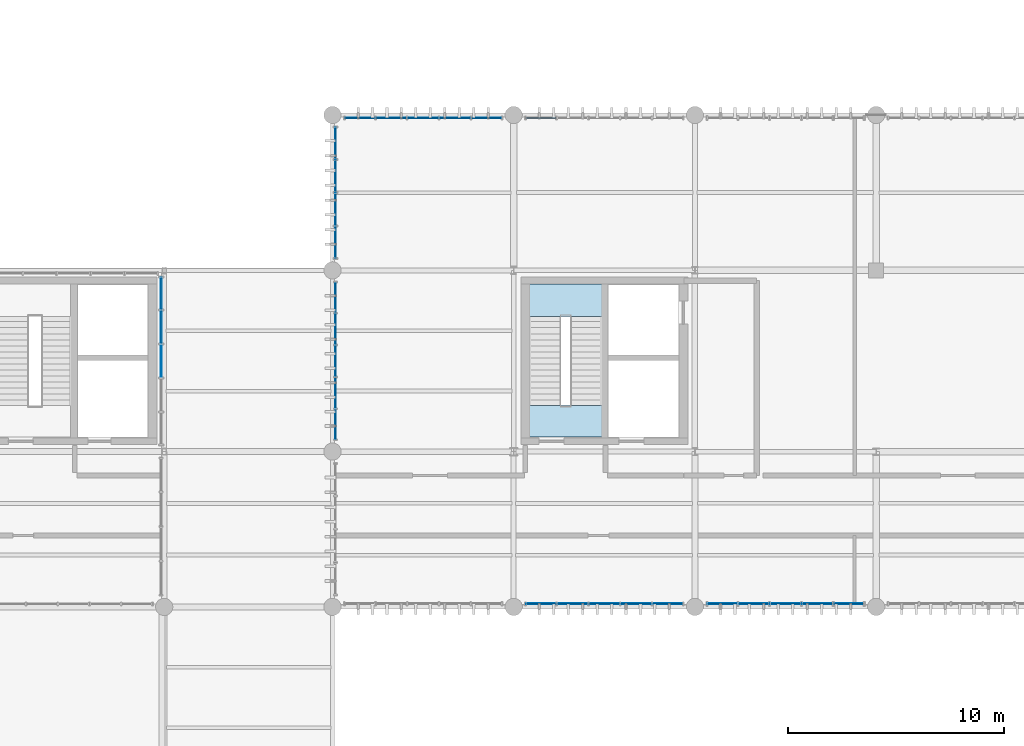
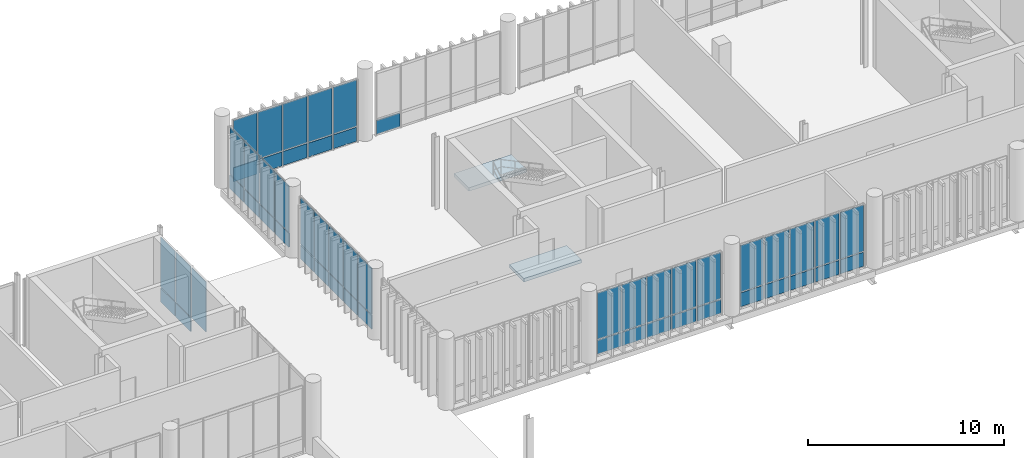
# One storey, part 52 of 68: 54 plates, 2 slabs, 8 elements without a shape of their own.
"""IFC4 building model written with IfcOpenShell, lengths in metres."""

from ifc_helpers import new_model, si_unit, direction, frame, frame_2d, origin_with_axes, place, context, subcontext, project, spatial, polyline, rectangle, outline, extrude, material, layer, layer_set, type_object, element, aggregate, save


model = new_model("IFC4")

# Units and contexts
model_context = context("Model", 3, precision=1e-05, world=origin_with_axes(), true_north=direction((0.0, 1.0)))
body_context = subcontext(model_context, "Body", "Model", "MODEL_VIEW")
ifc_project = project(units=[si_unit("LENGTHUNIT", "METRE"), si_unit("AREAUNIT", "SQUARE_METRE"), si_unit("VOLUMEUNIT", "CUBIC_METRE"), si_unit("PLANEANGLEUNIT", "RADIAN"), si_unit("MASSUNIT", "GRAM", prefix="KILO"), si_unit("THERMODYNAMICTEMPERATUREUNIT", "KELVIN")], contexts=[model_context])

# Site, building, storey
site_placement = place(None, origin_with_axes())
site = spatial("IfcSite", under=ifc_project, at=site_placement, CompositionType="ELEMENT")
building_placement = place(site_placement, origin_with_axes())
building = spatial("IfcBuilding", under=site, at=building_placement, Name="Montbau Bow Law Courts", CompositionType="ELEMENT")
storey_placement = place(building_placement, frame((0.0, 0.0, 20.4), z_axis=(0.0, 0.0, 1.0), x_axis=(1.0, 0.0, 0.0)))
storey = spatial("IfcBuildingStorey", under=building, at=storey_placement, Name="L04", CompositionType="ELEMENT", Elevation=20.4)

# Curtain wall, plates
ifc_material_1 = material(Name="Thermally Broken Extruded Aluminium AA 6063-T6", Category="aluminium")
curtain_wall_type_1 = type_object("IfcCurtainWallType", Name="CW-CRM-01", PredefinedType="NOTDEFINED", material=ifc_material_1)
curtain_wall_1_placement = place(None, frame((55.715, 39.14, 20.4), z_axis=(0.0, 0.0, 1.0), x_axis=(1.0, 0.0, 0.0)))
curtain_wall_1 = element("IfcCurtainWall", 1, at=curtain_wall_1_placement, inside=storey, type_object=curtain_wall_type_1, Name="CW-L04-194:cw_0194", PredefinedType="NOTDEFINED")
ifc_material_2 = material(Name="Triple-Glazed Low-E Argon Insulating Glass Unit", Category="glass")
ifc_layer_1 = layer(ifc_material_2, 0.044, Name="Curtain Panel", Category="glass")
ifc_layer_set_1 = layer_set([ifc_layer_1], Name="Triple-Glazed Low-E Argon Insulating Glass Unit")
plate_type_1 = type_object("IfcPlateType", Name="PL-CWP-01", PredefinedType="CURTAIN_PANEL", material=ifc_layer_set_1)
plate_1_placement = place(None, frame((55.777, 39.14, 21.382), z_axis=(0.0, -1.0, 0.0), x_axis=(1.0, 0.0, 0.0)))
plate_1 = element("IfcPlate", 2, at=plate_1_placement, type_object=plate_type_1, Name="CW-L04-194-P01-2:cw_0194_P01_2", PredefinedType="CURTAIN_PANEL", context=body_context, shape_type="SweptSolid", body=[
    extrude(rectangle(XDim=1.38, YDim=2.876, at=frame_2d((0.69, 1.438), x_axis=(1.0, 0.0))), frame((0.0, 0.0, -0.022), z_axis=(0.0, 0.0, 1.0), x_axis=(1.0, 0.0, 0.0)), (0.0, 0.0, 1.0), 0.044),
])
plate_2_placement = place(None, frame((57.221, 39.14, 21.382), z_axis=(0.0, -1.0, 0.0), x_axis=(1.0, 0.0, 0.0)))
plate_2 = element("IfcPlate", 3, at=plate_2_placement, type_object=plate_type_1, Name="CW-L04-194-P02-2:cw_0194_P02_2", PredefinedType="CURTAIN_PANEL", context=body_context, shape_type="SweptSolid", body=[
    extrude(rectangle(XDim=1.41, YDim=2.876, at=frame_2d((0.705, 1.438), x_axis=(1.0, 0.0))), frame((0.0, 0.0, -0.022), z_axis=(0.0, 0.0, 1.0), x_axis=(1.0, 0.0, 0.0)), (0.0, 0.0, 1.0), 0.044),
])
plate_3_placement = place(None, frame((58.695, 39.14, 21.382), z_axis=(0.0, -1.0, 0.0), x_axis=(1.0, 0.0, 0.0)))
plate_3 = element("IfcPlate", 4, at=plate_3_placement, type_object=plate_type_1, Name="CW-L04-194-P03-2:cw_0194_P03_2", PredefinedType="CURTAIN_PANEL", context=body_context, shape_type="SweptSolid", body=[
    extrude(rectangle(XDim=1.41, YDim=2.876, at=frame_2d((0.705, 1.438), x_axis=(1.0, 0.0))), frame((0.0, 0.0, -0.022), z_axis=(0.0, 0.0, 1.0), x_axis=(1.0, 0.0, 0.0)), (0.0, 0.0, 1.0), 0.044),
])
plate_4_placement = place(None, frame((60.169, 39.14, 21.382), z_axis=(0.0, -1.0, 0.0), x_axis=(1.0, 0.0, 0.0)))
plate_4 = element("IfcPlate", 5, at=plate_4_placement, type_object=plate_type_1, Name="CW-L04-194-P04-2:cw_0194_P04_2", PredefinedType="CURTAIN_PANEL", context=body_context, shape_type="SweptSolid", body=[
    extrude(rectangle(XDim=1.41, YDim=2.876, at=frame_2d((0.705, 1.438), x_axis=(1.0, 0.0))), frame((0.0, 0.0, -0.022), z_axis=(0.0, 0.0, 1.0), x_axis=(1.0, 0.0, 0.0)), (0.0, 0.0, 1.0), 0.044),
])
plate_5_placement = place(None, frame((61.643, 39.14, 21.382), z_axis=(0.0, -1.0, 0.0), x_axis=(1.0, 0.0, 0.0)))
plate_5 = element("IfcPlate", 6, at=plate_5_placement, type_object=plate_type_1, Name="CW-L04-194-P05-2:cw_0194_P05_2", PredefinedType="CURTAIN_PANEL", context=body_context, shape_type="SweptSolid", body=[
    extrude(rectangle(XDim=1.38, YDim=2.876, at=frame_2d((0.69, 1.438), x_axis=(1.0, 0.0))), frame((0.0, 0.0, -0.022), z_axis=(0.0, 0.0, 1.0), x_axis=(1.0, 0.0, 0.0)), (0.0, 0.0, 1.0), 0.044),
])

curtain_wall_2_placement = place(None, frame((64.115, 39.14, 20.4), z_axis=(0.0, 0.0, 1.0), x_axis=(1.0, 0.0, 0.0)))
curtain_wall_2 = element("IfcCurtainWall", 7, at=curtain_wall_2_placement, inside=storey, type_object=curtain_wall_type_1, Name="CW-L04-195:cw_0195", PredefinedType="NOTDEFINED")
plate_6_placement = place(None, frame((64.191, 39.14, 21.38), z_axis=(0.0, -1.0, 0.0), x_axis=(1.0, 0.0, 0.0)))
plate_6 = element("IfcPlate", 8, at=plate_6_placement, type_object=plate_type_1, Name="CW-L04-195-P01-2:cw_0195_P01_2", PredefinedType="CURTAIN_PANEL", context=body_context, shape_type="SweptSolid", body=[
    extrude(rectangle(XDim=1.358, YDim=2.884, at=frame_2d((0.679, 1.442), x_axis=(1.0, 0.0))), frame((0.0, 0.0, -0.022), z_axis=(0.0, 0.0, 1.0), x_axis=(1.0, 0.0, 0.0)), (0.0, 0.0, 1.0), 0.044),
])
plate_7_placement = place(None, frame((65.629, 39.14, 21.38), z_axis=(0.0, -1.0, 0.0), x_axis=(1.0, 0.0, 0.0)))
plate_7 = element("IfcPlate", 9, at=plate_7_placement, type_object=plate_type_1, Name="CW-L04-195-P02-2:cw_0195_P02_2", PredefinedType="CURTAIN_PANEL", context=body_context, shape_type="SweptSolid", body=[
    extrude(rectangle(XDim=1.395, YDim=2.884, at=frame_2d((0.6975, 1.442), x_axis=(1.0, 0.0))), frame((0.0, 0.0, -0.022), z_axis=(0.0, 0.0, 1.0), x_axis=(1.0, 0.0, 0.0)), (0.0, 0.0, 1.0), 0.044),
])
plate_8_placement = place(None, frame((67.102, 39.14, 21.38), z_axis=(0.0, -1.0, 0.0), x_axis=(1.0, 0.0, 0.0)))
plate_8 = element("IfcPlate", 10, at=plate_8_placement, type_object=plate_type_1, Name="CW-L04-195-P03-2:cw_0195_P03_2", PredefinedType="CURTAIN_PANEL", context=body_context, shape_type="SweptSolid", body=[
    extrude(rectangle(XDim=1.396, YDim=2.884, at=frame_2d((0.698, 1.442), x_axis=(1.0, 0.0))), frame((0.0, 0.0, -0.022), z_axis=(0.0, 0.0, 1.0), x_axis=(1.0, 0.0, 0.0)), (0.0, 0.0, 1.0), 0.044),
])
plate_9_placement = place(None, frame((68.576, 39.14, 21.38), z_axis=(0.0, -1.0, 0.0), x_axis=(1.0, 0.0, 0.0)))
plate_9 = element("IfcPlate", 11, at=plate_9_placement, type_object=plate_type_1, Name="CW-L04-195-P04-2:cw_0195_P04_2", PredefinedType="CURTAIN_PANEL", context=body_context, shape_type="SweptSolid", body=[
    extrude(rectangle(XDim=1.396, YDim=2.884, at=frame_2d((0.698, 1.442), x_axis=(1.0, 0.0))), frame((0.0, 0.0, -0.022), z_axis=(0.0, 0.0, 1.0), x_axis=(1.0, 0.0, 0.0)), (0.0, 0.0, 1.0), 0.044),
])
plate_10_placement = place(None, frame((70.05, 39.14, 21.38), z_axis=(0.0, -1.0, 0.0), x_axis=(1.0, 0.0, 0.0)))
plate_10 = element("IfcPlate", 12, at=plate_10_placement, type_object=plate_type_1, Name="CW-L04-195-P05-2:cw_0195_P05_2", PredefinedType="CURTAIN_PANEL", context=body_context, shape_type="SweptSolid", body=[
    extrude(rectangle(XDim=1.359, YDim=2.884, at=frame_2d((0.6795, 1.442), x_axis=(1.0, 0.0))), frame((0.0, 0.0, -0.022), z_axis=(0.0, 0.0, 1.0), x_axis=(1.0, 0.0, 0.0)), (0.0, 0.0, 1.0), 0.044),
])

curtain_wall_3_placement = place(None, frame((47.315, 61.66, 20.4), z_axis=(0.0, 0.0, 1.0), x_axis=(1.0, 0.0, 0.0)))
curtain_wall_3 = element("IfcCurtainWall", 13, at=curtain_wall_3_placement, inside=storey, type_object=curtain_wall_type_1, Name="CW-L04-199:cw_0199", PredefinedType="NOTDEFINED")
plate_11_placement = place(None, frame((47.383, 61.66, 21.38), z_axis=(0.0, -1.0, 0.0), x_axis=(1.0, 0.0, 0.0)))
plate_11 = element("IfcPlate", 14, at=plate_11_placement, type_object=plate_type_1, Name="CW-L04-199-P01-2:cw_0199_P01_2", PredefinedType="CURTAIN_PANEL", context=body_context, shape_type="SweptSolid", body=[
    extrude(rectangle(XDim=1.372, YDim=2.884, at=frame_2d((0.686, 1.442), x_axis=(1.0, 0.0))), frame((0.0, 0.0, -0.022), z_axis=(0.0, 0.0, 1.0), x_axis=(1.0, 0.0, 0.0)), (0.0, 0.0, 1.0), 0.044),
])
plate_12_placement = place(None, frame((48.823, 61.66, 21.38), z_axis=(0.0, -1.0, 0.0), x_axis=(1.0, 0.0, 0.0)))
plate_12 = element("IfcPlate", 15, at=plate_12_placement, type_object=plate_type_1, Name="CW-L04-199-P02-2:cw_0199_P02_2", PredefinedType="CURTAIN_PANEL", context=body_context, shape_type="SweptSolid", body=[
    extrude(rectangle(XDim=1.405, YDim=2.884, at=frame_2d((0.7025, 1.442), x_axis=(1.0, 0.0))), frame((0.0, 0.0, -0.022), z_axis=(0.0, 0.0, 1.0), x_axis=(1.0, 0.0, 0.0)), (0.0, 0.0, 1.0), 0.044),
])
plate_13_placement = place(None, frame((50.297, 61.66, 21.38), z_axis=(0.0, -1.0, 0.0), x_axis=(1.0, 0.0, 0.0)))
plate_13 = element("IfcPlate", 16, at=plate_13_placement, type_object=plate_type_1, Name="CW-L04-199-P03-2:cw_0199_P03_2", PredefinedType="CURTAIN_PANEL", context=body_context, shape_type="SweptSolid", body=[
    extrude(rectangle(XDim=1.406, YDim=2.884, at=frame_2d((0.703, 1.442), x_axis=(1.0, 0.0))), frame((0.0, 0.0, -0.022), z_axis=(0.0, 0.0, 1.0), x_axis=(1.0, 0.0, 0.0)), (0.0, 0.0, 1.0), 0.044),
])
plate_14_placement = place(None, frame((51.771, 61.66, 21.38), z_axis=(0.0, -1.0, 0.0), x_axis=(1.0, 0.0, 0.0)))
plate_14 = element("IfcPlate", 17, at=plate_14_placement, type_object=plate_type_1, Name="CW-L04-199-P04-2:cw_0199_P04_2", PredefinedType="CURTAIN_PANEL", context=body_context, shape_type="SweptSolid", body=[
    extrude(rectangle(XDim=1.406, YDim=2.884, at=frame_2d((0.703, 1.442), x_axis=(1.0, 0.0))), frame((0.0, 0.0, -0.022), z_axis=(0.0, 0.0, 1.0), x_axis=(1.0, 0.0, 0.0)), (0.0, 0.0, 1.0), 0.044),
])
plate_15_placement = place(None, frame((53.245, 61.66, 21.38), z_axis=(0.0, -1.0, 0.0), x_axis=(1.0, 0.0, 0.0)))
plate_15 = element("IfcPlate", 18, at=plate_15_placement, type_object=plate_type_1, Name="CW-L04-199-P05-2:cw_0199_P05_2", PredefinedType="CURTAIN_PANEL", context=body_context, shape_type="SweptSolid", body=[
    extrude(rectangle(XDim=1.374, YDim=2.884, at=frame_2d((0.687, 1.442), x_axis=(1.0, 0.0))), frame((0.0, 0.0, -0.022), z_axis=(0.0, 0.0, 1.0), x_axis=(1.0, 0.0, 0.0)), (0.0, 0.0, 1.0), 0.044),
])

curtain_wall_4_placement = place(None, frame((46.94, 46.715, 20.4), z_axis=(0.0, 0.0, 1.0), x_axis=(1.0, 0.0, 0.0)))
curtain_wall_4 = element("IfcCurtainWall", 19, at=curtain_wall_4_placement, inside=storey, type_object=curtain_wall_type_1, Name="CW-L04-206:cw_0206", PredefinedType="NOTDEFINED")
plate_16_placement = place(None, frame((46.94, 46.777, 21.382), z_axis=(1.0, 0.0, 0.0), x_axis=(0.0, 1.0, 0.0)))
plate_16 = element("IfcPlate", 20, at=plate_16_placement, type_object=plate_type_1, Name="CW-L04-206-P01-2:cw_0206_P01_2", PredefinedType="CURTAIN_PANEL", context=body_context, shape_type="SweptSolid", body=[
    extrude(rectangle(XDim=1.38, YDim=2.876, at=frame_2d((0.69, 1.438), x_axis=(1.0, 0.0))), frame((0.0, 0.0, -0.022), z_axis=(0.0, 0.0, 1.0), x_axis=(1.0, 0.0, 0.0)), (0.0, 0.0, 1.0), 0.044),
])
plate_17_placement = place(None, frame((46.94, 48.221, 21.382), z_axis=(1.0, 0.0, 0.0), x_axis=(0.0, 1.0, 0.0)))
plate_17 = element("IfcPlate", 21, at=plate_17_placement, type_object=plate_type_1, Name="CW-L04-206-P02-2:cw_0206_P02_2", PredefinedType="CURTAIN_PANEL", context=body_context, shape_type="SweptSolid", body=[
    extrude(rectangle(XDim=1.41, YDim=2.876, at=frame_2d((0.705, 1.438), x_axis=(1.0, 0.0))), frame((0.0, 0.0, -0.022), z_axis=(0.0, 0.0, 1.0), x_axis=(1.0, 0.0, 0.0)), (0.0, 0.0, 1.0), 0.044),
])
plate_18_placement = place(None, frame((46.94, 49.695, 21.382), z_axis=(1.0, 0.0, 0.0), x_axis=(0.0, 1.0, 0.0)))
plate_18 = element("IfcPlate", 22, at=plate_18_placement, type_object=plate_type_1, Name="CW-L04-206-P03-2:cw_0206_P03_2", PredefinedType="CURTAIN_PANEL", context=body_context, shape_type="SweptSolid", body=[
    extrude(rectangle(XDim=1.41, YDim=2.876, at=frame_2d((0.705, 1.438), x_axis=(1.0, 0.0))), frame((0.0, 0.0, -0.022), z_axis=(0.0, 0.0, 1.0), x_axis=(1.0, 0.0, 0.0)), (0.0, 0.0, 1.0), 0.044),
])
plate_19_placement = place(None, frame((46.94, 51.169, 21.382), z_axis=(1.0, 0.0, 0.0), x_axis=(0.0, 1.0, 0.0)))
plate_19 = element("IfcPlate", 23, at=plate_19_placement, type_object=plate_type_1, Name="CW-L04-206-P04-2:cw_0206_P04_2", PredefinedType="CURTAIN_PANEL", context=body_context, shape_type="SweptSolid", body=[
    extrude(rectangle(XDim=1.41, YDim=2.876, at=frame_2d((0.705, 1.438), x_axis=(1.0, 0.0))), frame((0.0, 0.0, -0.022), z_axis=(0.0, 0.0, 1.0), x_axis=(1.0, 0.0, 0.0)), (0.0, 0.0, 1.0), 0.044),
])
plate_20_placement = place(None, frame((46.94, 52.643, 21.382), z_axis=(1.0, 0.0, 0.0), x_axis=(0.0, 1.0, 0.0)))
plate_20 = element("IfcPlate", 24, at=plate_20_placement, type_object=plate_type_1, Name="CW-L04-206-P05-2:cw_0206_P05_2", PredefinedType="CURTAIN_PANEL", context=body_context, shape_type="SweptSolid", body=[
    extrude(rectangle(XDim=1.38, YDim=2.876, at=frame_2d((0.69, 1.438), x_axis=(1.0, 0.0))), frame((0.0, 0.0, -0.022), z_axis=(0.0, 0.0, 1.0), x_axis=(1.0, 0.0, 0.0)), (0.0, 0.0, 1.0), 0.044),
])

curtain_wall_5_placement = place(None, frame((46.94, 55.115, 20.4), z_axis=(0.0, 0.0, 1.0), x_axis=(1.0, 0.0, 0.0)))
curtain_wall_5 = element("IfcCurtainWall", 25, at=curtain_wall_5_placement, inside=storey, type_object=curtain_wall_type_1, Name="CW-L04-207:cw_0207", PredefinedType="NOTDEFINED")
plate_21_placement = place(None, frame((46.94, 55.191, 21.38), z_axis=(1.0, 0.0, 0.0), x_axis=(0.0, 1.0, 0.0)))
plate_21 = element("IfcPlate", 26, at=plate_21_placement, type_object=plate_type_1, Name="CW-L04-207-P01-2:cw_0207_P01_2", PredefinedType="CURTAIN_PANEL", context=body_context, shape_type="SweptSolid", body=[
    extrude(rectangle(XDim=1.426, YDim=2.884, at=frame_2d((0.713, 1.442), x_axis=(1.0, 0.0))), frame((0.0, 0.0, -0.022), z_axis=(0.0, 0.0, 1.0), x_axis=(1.0, 0.0, 0.0)), (0.0, 0.0, 1.0), 0.044),
])
plate_22_placement = place(None, frame((46.94, 56.697, 21.38), z_axis=(1.0, 0.0, 0.0), x_axis=(0.0, 1.0, 0.0)))
plate_22 = element("IfcPlate", 27, at=plate_22_placement, type_object=plate_type_1, Name="CW-L04-207-P02-2:cw_0207_P02_2", PredefinedType="CURTAIN_PANEL", context=body_context, shape_type="SweptSolid", body=[
    extrude(rectangle(XDim=1.464, YDim=2.884, at=frame_2d((0.732, 1.442), x_axis=(1.0, 0.0))), frame((0.0, 0.0, -0.022), z_axis=(0.0, 0.0, 1.0), x_axis=(1.0, 0.0, 0.0)), (0.0, 0.0, 1.0), 0.044),
])
plate_23_placement = place(None, frame((46.94, 58.239, 21.38), z_axis=(1.0, 0.0, 0.0), x_axis=(0.0, 1.0, 0.0)))
plate_23 = element("IfcPlate", 28, at=plate_23_placement, type_object=plate_type_1, Name="CW-L04-207-P03-2:cw_0207_P03_2", PredefinedType="CURTAIN_PANEL", context=body_context, shape_type="SweptSolid", body=[
    extrude(rectangle(XDim=1.464, YDim=2.884, at=frame_2d((0.732, 1.442), x_axis=(1.0, 0.0))), frame((0.0, 0.0, -0.022), z_axis=(0.0, 0.0, 1.0), x_axis=(1.0, 0.0, 0.0)), (0.0, 0.0, 1.0), 0.044),
])
plate_24_placement = place(None, frame((46.94, 59.781, 21.38), z_axis=(1.0, 0.0, 0.0), x_axis=(0.0, 1.0, 0.0)))
plate_24 = element("IfcPlate", 29, at=plate_24_placement, type_object=plate_type_1, Name="CW-L04-207-P04-2:cw_0207_P04_2", PredefinedType="CURTAIN_PANEL", context=body_context, shape_type="SweptSolid", body=[
    extrude(rectangle(XDim=1.427, YDim=2.884, at=frame_2d((0.7135, 1.442), x_axis=(1.0, 0.0))), frame((0.0, 0.0, -0.022), z_axis=(0.0, 0.0, 1.0), x_axis=(1.0, 0.0, 0.0)), (0.0, 0.0, 1.0), 0.044),
])

curtain_wall_type_2 = type_object("IfcCurtainWallType", Name="CW-NCK-01", PredefinedType="NOTDEFINED", material=ifc_material_1)
curtain_wall_6_placement = place(None, frame((38.86, 46.468, 20.4), z_axis=(0.0, 0.0, 1.0), x_axis=(1.0, 0.0, 0.0)))
curtain_wall_6 = element("IfcCurtainWall", 30, at=curtain_wall_6_placement, inside=storey, type_object=curtain_wall_type_2, Name="CW-L04-075:cw_0075", PredefinedType="NOTDEFINED")
ifc_material_3 = material(Name="Insulated Ceramic-Frit Spandrel Glazing Unit", Category="glass")
ifc_layer_2 = layer(ifc_material_3, 0.056, Name="Curtain Panel", Category="glass")
ifc_layer_set_2 = layer_set([ifc_layer_2], Name="Insulated Ceramic-Frit Spandrel Glazing Unit")
plate_type_2 = type_object("IfcPlateType", Name="PL-CWP-02", PredefinedType="CURTAIN_PANEL", material=ifc_layer_set_2)
plate_25_placement = place(None, frame((38.86, 51.225, 20.456), z_axis=(1.0, 0.0, 0.0), x_axis=(0.0, 1.0, 0.0)))
plate_25 = element("IfcPlate", 31, at=plate_25_placement, type_object=plate_type_2, Name="CW-L04-075-P04-1:cw_0075_P04_1", PredefinedType="CURTAIN_PANEL", context=body_context, shape_type="SweptSolid", body=[
    extrude(rectangle(XDim=1.495, YDim=0.865, at=frame_2d((0.7475, 0.4325), x_axis=(1.0, 0.0))), frame((0.0, 0.0, -0.028), z_axis=(0.0, 0.0, 1.0), x_axis=(1.0, 0.0, 0.0)), (0.0, 0.0, 1.0), 0.056),
])
plate_26_placement = place(None, frame((38.86, 52.798, 20.456), z_axis=(1.0, 0.0, 0.0), x_axis=(0.0, 1.0, 0.0)))
plate_26 = element("IfcPlate", 32, at=plate_26_placement, type_object=plate_type_2, Name="CW-L04-075-P05-1:cw_0075_P05_1", PredefinedType="CURTAIN_PANEL", context=body_context, shape_type="SweptSolid", body=[
    extrude(rectangle(XDim=1.457, YDim=0.865, at=frame_2d((0.7285, 0.4325), x_axis=(1.0, 0.0))), frame((0.0, 0.0, -0.028), z_axis=(0.0, 0.0, 1.0), x_axis=(1.0, 0.0, 0.0)), (0.0, 0.0, 1.0), 0.056),
])

# Plate
plate_27_placement = place(None, frame((55.777, 39.14, 20.462), z_axis=(0.0, -1.0, 0.0), x_axis=(1.0, 0.0, 0.0)))
plate_27 = element("IfcPlate", 33, at=plate_27_placement, type_object=plate_type_2, Name="CW-L04-194-P01-1:cw_0194_P01_1", PredefinedType="CURTAIN_PANEL", context=body_context, shape_type="SweptSolid", body=[
    extrude(rectangle(XDim=1.38, YDim=0.856, at=frame_2d((0.69, 0.428), x_axis=(1.0, 0.0))), frame((0.0, 0.0, -0.028), z_axis=(0.0, 0.0, 1.0), x_axis=(1.0, 0.0, 0.0)), (0.0, 0.0, 1.0), 0.056),
])

plate_28_placement = place(None, frame((57.221, 39.14, 20.462), z_axis=(0.0, -1.0, 0.0), x_axis=(1.0, 0.0, 0.0)))
plate_28 = element("IfcPlate", 34, at=plate_28_placement, type_object=plate_type_2, Name="CW-L04-194-P02-1:cw_0194_P02_1", PredefinedType="CURTAIN_PANEL", context=body_context, shape_type="SweptSolid", body=[
    extrude(rectangle(XDim=1.41, YDim=0.856, at=frame_2d((0.705, 0.428), x_axis=(1.0, 0.0))), frame((0.0, 0.0, -0.028), z_axis=(0.0, 0.0, 1.0), x_axis=(1.0, 0.0, 0.0)), (0.0, 0.0, 1.0), 0.056),
])

plate_29_placement = place(None, frame((58.695, 39.14, 20.462), z_axis=(0.0, -1.0, 0.0), x_axis=(1.0, 0.0, 0.0)))
plate_29 = element("IfcPlate", 35, at=plate_29_placement, type_object=plate_type_2, Name="CW-L04-194-P03-1:cw_0194_P03_1", PredefinedType="CURTAIN_PANEL", context=body_context, shape_type="SweptSolid", body=[
    extrude(rectangle(XDim=1.41, YDim=0.856, at=frame_2d((0.705, 0.428), x_axis=(1.0, 0.0))), frame((0.0, 0.0, -0.028), z_axis=(0.0, 0.0, 1.0), x_axis=(1.0, 0.0, 0.0)), (0.0, 0.0, 1.0), 0.056),
])

plate_30_placement = place(None, frame((60.169, 39.14, 20.462), z_axis=(0.0, -1.0, 0.0), x_axis=(1.0, 0.0, 0.0)))
plate_30 = element("IfcPlate", 36, at=plate_30_placement, type_object=plate_type_2, Name="CW-L04-194-P04-1:cw_0194_P04_1", PredefinedType="CURTAIN_PANEL", context=body_context, shape_type="SweptSolid", body=[
    extrude(rectangle(XDim=1.41, YDim=0.856, at=frame_2d((0.705, 0.428), x_axis=(1.0, 0.0))), frame((0.0, 0.0, -0.028), z_axis=(0.0, 0.0, 1.0), x_axis=(1.0, 0.0, 0.0)), (0.0, 0.0, 1.0), 0.056),
])

plate_31_placement = place(None, frame((61.643, 39.14, 20.462), z_axis=(0.0, -1.0, 0.0), x_axis=(1.0, 0.0, 0.0)))
plate_31 = element("IfcPlate", 37, at=plate_31_placement, type_object=plate_type_2, Name="CW-L04-194-P05-1:cw_0194_P05_1", PredefinedType="CURTAIN_PANEL", context=body_context, shape_type="SweptSolid", body=[
    extrude(rectangle(XDim=1.38, YDim=0.856, at=frame_2d((0.69, 0.428), x_axis=(1.0, 0.0))), frame((0.0, 0.0, -0.028), z_axis=(0.0, 0.0, 1.0), x_axis=(1.0, 0.0, 0.0)), (0.0, 0.0, 1.0), 0.056),
])

aggregate(curtain_wall_1, [plate_27, plate_1, plate_28, plate_2, plate_29, plate_3, plate_30, plate_4, plate_31, plate_5])

plate_32_placement = place(None, frame((64.191, 39.14, 20.456), z_axis=(0.0, -1.0, 0.0), x_axis=(1.0, 0.0, 0.0)))
plate_32 = element("IfcPlate", 38, at=plate_32_placement, type_object=plate_type_2, Name="CW-L04-195-P01-1:cw_0195_P01_1", PredefinedType="CURTAIN_PANEL", context=body_context, shape_type="SweptSolid", body=[
    extrude(rectangle(XDim=1.358, YDim=0.865, at=frame_2d((0.679, 0.4325), x_axis=(1.0, 0.0))), frame((0.0, 0.0, -0.028), z_axis=(0.0, 0.0, 1.0), x_axis=(1.0, 0.0, 0.0)), (0.0, 0.0, 1.0), 0.056),
])

plate_33_placement = place(None, frame((65.629, 39.14, 20.456), z_axis=(0.0, -1.0, 0.0), x_axis=(1.0, 0.0, 0.0)))
plate_33 = element("IfcPlate", 39, at=plate_33_placement, type_object=plate_type_2, Name="CW-L04-195-P02-1:cw_0195_P02_1", PredefinedType="CURTAIN_PANEL", context=body_context, shape_type="SweptSolid", body=[
    extrude(rectangle(XDim=1.395, YDim=0.865, at=frame_2d((0.6975, 0.4325), x_axis=(1.0, 0.0))), frame((0.0, 0.0, -0.028), z_axis=(0.0, 0.0, 1.0), x_axis=(1.0, 0.0, 0.0)), (0.0, 0.0, 1.0), 0.056),
])

plate_34_placement = place(None, frame((67.102, 39.14, 20.456), z_axis=(0.0, -1.0, 0.0), x_axis=(1.0, 0.0, 0.0)))
plate_34 = element("IfcPlate", 40, at=plate_34_placement, type_object=plate_type_2, Name="CW-L04-195-P03-1:cw_0195_P03_1", PredefinedType="CURTAIN_PANEL", context=body_context, shape_type="SweptSolid", body=[
    extrude(rectangle(XDim=1.396, YDim=0.865, at=frame_2d((0.698, 0.4325), x_axis=(1.0, 0.0))), frame((0.0, 0.0, -0.028), z_axis=(0.0, 0.0, 1.0), x_axis=(1.0, 0.0, 0.0)), (0.0, 0.0, 1.0), 0.056),
])

plate_35_placement = place(None, frame((68.576, 39.14, 20.456), z_axis=(0.0, -1.0, 0.0), x_axis=(1.0, 0.0, 0.0)))
plate_35 = element("IfcPlate", 41, at=plate_35_placement, type_object=plate_type_2, Name="CW-L04-195-P04-1:cw_0195_P04_1", PredefinedType="CURTAIN_PANEL", context=body_context, shape_type="SweptSolid", body=[
    extrude(rectangle(XDim=1.396, YDim=0.865, at=frame_2d((0.698, 0.4325), x_axis=(1.0, 0.0))), frame((0.0, 0.0, -0.028), z_axis=(0.0, 0.0, 1.0), x_axis=(1.0, 0.0, 0.0)), (0.0, 0.0, 1.0), 0.056),
])

plate_36_placement = place(None, frame((70.05, 39.14, 20.456), z_axis=(0.0, -1.0, 0.0), x_axis=(1.0, 0.0, 0.0)))
plate_36 = element("IfcPlate", 42, at=plate_36_placement, type_object=plate_type_2, Name="CW-L04-195-P05-1:cw_0195_P05_1", PredefinedType="CURTAIN_PANEL", context=body_context, shape_type="SweptSolid", body=[
    extrude(rectangle(XDim=1.359, YDim=0.865, at=frame_2d((0.6795, 0.4325), x_axis=(1.0, 0.0))), frame((0.0, 0.0, -0.028), z_axis=(0.0, 0.0, 1.0), x_axis=(1.0, 0.0, 0.0)), (0.0, 0.0, 1.0), 0.056),
])

aggregate(curtain_wall_2, [plate_32, plate_6, plate_33, plate_7, plate_34, plate_8, plate_35, plate_9, plate_36, plate_10])

plate_37_placement = place(None, frame((47.383, 61.66, 20.456), z_axis=(0.0, -1.0, 0.0), x_axis=(1.0, 0.0, 0.0)))
plate_37 = element("IfcPlate", 43, at=plate_37_placement, type_object=plate_type_2, Name="CW-L04-199-P01-1:cw_0199_P01_1", PredefinedType="CURTAIN_PANEL", context=body_context, shape_type="SweptSolid", body=[
    extrude(rectangle(XDim=1.372, YDim=0.865, at=frame_2d((0.686, 0.4325), x_axis=(1.0, 0.0))), frame((0.0, 0.0, -0.028), z_axis=(0.0, 0.0, 1.0), x_axis=(1.0, 0.0, 0.0)), (0.0, 0.0, 1.0), 0.056),
])

plate_38_placement = place(None, frame((48.823, 61.66, 20.456), z_axis=(0.0, -1.0, 0.0), x_axis=(1.0, 0.0, 0.0)))
plate_38 = element("IfcPlate", 44, at=plate_38_placement, type_object=plate_type_2, Name="CW-L04-199-P02-1:cw_0199_P02_1", PredefinedType="CURTAIN_PANEL", context=body_context, shape_type="SweptSolid", body=[
    extrude(rectangle(XDim=1.405, YDim=0.865, at=frame_2d((0.7025, 0.4325), x_axis=(1.0, 0.0))), frame((0.0, 0.0, -0.028), z_axis=(0.0, 0.0, 1.0), x_axis=(1.0, 0.0, 0.0)), (0.0, 0.0, 1.0), 0.056),
])

plate_39_placement = place(None, frame((50.297, 61.66, 20.456), z_axis=(0.0, -1.0, 0.0), x_axis=(1.0, 0.0, 0.0)))
plate_39 = element("IfcPlate", 45, at=plate_39_placement, type_object=plate_type_2, Name="CW-L04-199-P03-1:cw_0199_P03_1", PredefinedType="CURTAIN_PANEL", context=body_context, shape_type="SweptSolid", body=[
    extrude(rectangle(XDim=1.406, YDim=0.865, at=frame_2d((0.703, 0.4325), x_axis=(1.0, 0.0))), frame((0.0, 0.0, -0.028), z_axis=(0.0, 0.0, 1.0), x_axis=(1.0, 0.0, 0.0)), (0.0, 0.0, 1.0), 0.056),
])

plate_40_placement = place(None, frame((51.771, 61.66, 20.456), z_axis=(0.0, -1.0, 0.0), x_axis=(1.0, 0.0, 0.0)))
plate_40 = element("IfcPlate", 46, at=plate_40_placement, type_object=plate_type_2, Name="CW-L04-199-P04-1:cw_0199_P04_1", PredefinedType="CURTAIN_PANEL", context=body_context, shape_type="SweptSolid", body=[
    extrude(rectangle(XDim=1.406, YDim=0.865, at=frame_2d((0.703, 0.4325), x_axis=(1.0, 0.0))), frame((0.0, 0.0, -0.028), z_axis=(0.0, 0.0, 1.0), x_axis=(1.0, 0.0, 0.0)), (0.0, 0.0, 1.0), 0.056),
])

plate_41_placement = place(None, frame((53.245, 61.66, 20.456), z_axis=(0.0, -1.0, 0.0), x_axis=(1.0, 0.0, 0.0)))
plate_41 = element("IfcPlate", 47, at=plate_41_placement, type_object=plate_type_2, Name="CW-L04-199-P05-1:cw_0199_P05_1", PredefinedType="CURTAIN_PANEL", context=body_context, shape_type="SweptSolid", body=[
    extrude(rectangle(XDim=1.374, YDim=0.865, at=frame_2d((0.687, 0.4325), x_axis=(1.0, 0.0))), frame((0.0, 0.0, -0.028), z_axis=(0.0, 0.0, 1.0), x_axis=(1.0, 0.0, 0.0)), (0.0, 0.0, 1.0), 0.056),
])

aggregate(curtain_wall_3, [plate_37, plate_11, plate_38, plate_12, plate_39, plate_13, plate_40, plate_14, plate_41, plate_15])

# Curtain wall, plate
curtain_wall_7_placement = place(None, frame((55.715, 61.66, 20.4), z_axis=(0.0, 0.0, 1.0), x_axis=(1.0, 0.0, 0.0)))
curtain_wall_7 = element("IfcCurtainWall", 48, at=curtain_wall_7_placement, inside=storey, type_object=curtain_wall_type_1, Name="CW-L04-200:cw_0200", PredefinedType="NOTDEFINED")
plate_42_placement = place(None, frame((55.777, 61.66, 20.462), z_axis=(0.0, -1.0, 0.0), x_axis=(1.0, 0.0, 0.0)))
plate_42 = element("IfcPlate", 49, at=plate_42_placement, type_object=plate_type_2, Name="CW-L04-200-P01-1:cw_0200_P01_1", PredefinedType="CURTAIN_PANEL", context=body_context, shape_type="SweptSolid", body=[
    extrude(rectangle(XDim=1.38, YDim=0.856, at=frame_2d((0.69, 0.428), x_axis=(1.0, 0.0))), frame((0.0, 0.0, -0.028), z_axis=(0.0, 0.0, 1.0), x_axis=(1.0, 0.0, 0.0)), (0.0, 0.0, 1.0), 0.056),
])
aggregate(curtain_wall_7, [plate_42])

# Plate
plate_43_placement = place(None, frame((46.94, 46.777, 20.462), z_axis=(1.0, 0.0, 0.0), x_axis=(0.0, 1.0, 0.0)))
plate_43 = element("IfcPlate", 50, at=plate_43_placement, type_object=plate_type_2, Name="CW-L04-206-P01-1:cw_0206_P01_1", PredefinedType="CURTAIN_PANEL", context=body_context, shape_type="SweptSolid", body=[
    extrude(rectangle(XDim=1.38, YDim=0.856, at=frame_2d((0.69, 0.428), x_axis=(1.0, 0.0))), frame((0.0, 0.0, -0.028), z_axis=(0.0, 0.0, 1.0), x_axis=(1.0, 0.0, 0.0)), (0.0, 0.0, 1.0), 0.056),
])

plate_44_placement = place(None, frame((46.94, 48.221, 20.462), z_axis=(1.0, 0.0, 0.0), x_axis=(0.0, 1.0, 0.0)))
plate_44 = element("IfcPlate", 51, at=plate_44_placement, type_object=plate_type_2, Name="CW-L04-206-P02-1:cw_0206_P02_1", PredefinedType="CURTAIN_PANEL", context=body_context, shape_type="SweptSolid", body=[
    extrude(rectangle(XDim=1.41, YDim=0.856, at=frame_2d((0.705, 0.428), x_axis=(1.0, 0.0))), frame((0.0, 0.0, -0.028), z_axis=(0.0, 0.0, 1.0), x_axis=(1.0, 0.0, 0.0)), (0.0, 0.0, 1.0), 0.056),
])

plate_45_placement = place(None, frame((46.94, 49.695, 20.462), z_axis=(1.0, 0.0, 0.0), x_axis=(0.0, 1.0, 0.0)))
plate_45 = element("IfcPlate", 52, at=plate_45_placement, type_object=plate_type_2, Name="CW-L04-206-P03-1:cw_0206_P03_1", PredefinedType="CURTAIN_PANEL", context=body_context, shape_type="SweptSolid", body=[
    extrude(rectangle(XDim=1.41, YDim=0.856, at=frame_2d((0.705, 0.428), x_axis=(1.0, 0.0))), frame((0.0, 0.0, -0.028), z_axis=(0.0, 0.0, 1.0), x_axis=(1.0, 0.0, 0.0)), (0.0, 0.0, 1.0), 0.056),
])

plate_46_placement = place(None, frame((46.94, 51.169, 20.462), z_axis=(1.0, 0.0, 0.0), x_axis=(0.0, 1.0, 0.0)))
plate_46 = element("IfcPlate", 53, at=plate_46_placement, type_object=plate_type_2, Name="CW-L04-206-P04-1:cw_0206_P04_1", PredefinedType="CURTAIN_PANEL", context=body_context, shape_type="SweptSolid", body=[
    extrude(rectangle(XDim=1.41, YDim=0.856, at=frame_2d((0.705, 0.428), x_axis=(1.0, 0.0))), frame((0.0, 0.0, -0.028), z_axis=(0.0, 0.0, 1.0), x_axis=(1.0, 0.0, 0.0)), (0.0, 0.0, 1.0), 0.056),
])

plate_47_placement = place(None, frame((46.94, 52.643, 20.462), z_axis=(1.0, 0.0, 0.0), x_axis=(0.0, 1.0, 0.0)))
plate_47 = element("IfcPlate", 54, at=plate_47_placement, type_object=plate_type_2, Name="CW-L04-206-P05-1:cw_0206_P05_1", PredefinedType="CURTAIN_PANEL", context=body_context, shape_type="SweptSolid", body=[
    extrude(rectangle(XDim=1.38, YDim=0.856, at=frame_2d((0.69, 0.428), x_axis=(1.0, 0.0))), frame((0.0, 0.0, -0.028), z_axis=(0.0, 0.0, 1.0), x_axis=(1.0, 0.0, 0.0)), (0.0, 0.0, 1.0), 0.056),
])

aggregate(curtain_wall_4, [plate_43, plate_16, plate_44, plate_17, plate_45, plate_18, plate_46, plate_19, plate_47, plate_20])

plate_48_placement = place(None, frame((46.94, 55.191, 20.456), z_axis=(1.0, 0.0, 0.0), x_axis=(0.0, 1.0, 0.0)))
plate_48 = element("IfcPlate", 55, at=plate_48_placement, type_object=plate_type_2, Name="CW-L04-207-P01-1:cw_0207_P01_1", PredefinedType="CURTAIN_PANEL", context=body_context, shape_type="SweptSolid", body=[
    extrude(rectangle(XDim=1.426, YDim=0.865, at=frame_2d((0.713, 0.4325), x_axis=(1.0, 0.0))), frame((0.0, 0.0, -0.028), z_axis=(0.0, 0.0, 1.0), x_axis=(1.0, 0.0, 0.0)), (0.0, 0.0, 1.0), 0.056),
])

plate_49_placement = place(None, frame((46.94, 56.697, 20.456), z_axis=(1.0, 0.0, 0.0), x_axis=(0.0, 1.0, 0.0)))
plate_49 = element("IfcPlate", 56, at=plate_49_placement, type_object=plate_type_2, Name="CW-L04-207-P02-1:cw_0207_P02_1", PredefinedType="CURTAIN_PANEL", context=body_context, shape_type="SweptSolid", body=[
    extrude(rectangle(XDim=1.464, YDim=0.865, at=frame_2d((0.732, 0.4325), x_axis=(1.0, 0.0))), frame((0.0, 0.0, -0.028), z_axis=(0.0, 0.0, 1.0), x_axis=(1.0, 0.0, 0.0)), (0.0, 0.0, 1.0), 0.056),
])

plate_50_placement = place(None, frame((46.94, 58.239, 20.456), z_axis=(1.0, 0.0, 0.0), x_axis=(0.0, 1.0, 0.0)))
plate_50 = element("IfcPlate", 57, at=plate_50_placement, type_object=plate_type_2, Name="CW-L04-207-P03-1:cw_0207_P03_1", PredefinedType="CURTAIN_PANEL", context=body_context, shape_type="SweptSolid", body=[
    extrude(rectangle(XDim=1.464, YDim=0.865, at=frame_2d((0.732, 0.4325), x_axis=(1.0, 0.0))), frame((0.0, 0.0, -0.028), z_axis=(0.0, 0.0, 1.0), x_axis=(1.0, 0.0, 0.0)), (0.0, 0.0, 1.0), 0.056),
])

plate_51_placement = place(None, frame((46.94, 59.781, 20.456), z_axis=(1.0, 0.0, 0.0), x_axis=(0.0, 1.0, 0.0)))
plate_51 = element("IfcPlate", 58, at=plate_51_placement, type_object=plate_type_2, Name="CW-L04-207-P04-1:cw_0207_P04_1", PredefinedType="CURTAIN_PANEL", context=body_context, shape_type="SweptSolid", body=[
    extrude(rectangle(XDim=1.427, YDim=0.865, at=frame_2d((0.7135, 0.4325), x_axis=(1.0, 0.0))), frame((0.0, 0.0, -0.028), z_axis=(0.0, 0.0, 1.0), x_axis=(1.0, 0.0, 0.0)), (0.0, 0.0, 1.0), 0.056),
])

aggregate(curtain_wall_5, [plate_48, plate_21, plate_49, plate_22, plate_50, plate_23, plate_51, plate_24])

ifc_material_4 = material(Name="Triple-Glazed Winter-Garden Vision Unit", Category="glass")
ifc_layer_3 = layer(ifc_material_4, 0.036, Name="Curtain Panel", Category="glass")
ifc_layer_set_3 = layer_set([ifc_layer_3], Name="Triple-Glazed Winter-Garden Vision Unit")
plate_type_3 = type_object("IfcPlateType", Name="PL-CWP-03", PredefinedType="CURTAIN_PANEL", material=ifc_layer_set_3)
plate_52_placement = place(None, frame((38.86, 49.653, 21.38), z_axis=(1.0, 0.0, 0.0), x_axis=(0.0, 1.0, 0.0)))
plate_52 = element("IfcPlate", 59, at=plate_52_placement, type_object=plate_type_3, Name="CW-L04-075-P03-2:cw_0075_P03_2", PredefinedType="CURTAIN_PANEL", context=body_context, shape_type="SweptSolid", body=[
    extrude(rectangle(XDim=1.494, YDim=3.103, at=frame_2d((0.747, 1.5515), x_axis=(1.0, 0.0))), frame((0.0, 0.0, -0.018), z_axis=(0.0, 0.0, 1.0), x_axis=(1.0, 0.0, 0.0)), (0.0, 0.0, 1.0), 0.036),
])

plate_53_placement = place(None, frame((38.86, 51.225, 21.38), z_axis=(1.0, 0.0, 0.0), x_axis=(0.0, 1.0, 0.0)))
plate_53 = element("IfcPlate", 60, at=plate_53_placement, type_object=plate_type_3, Name="CW-L04-075-P04-2:cw_0075_P04_2", PredefinedType="CURTAIN_PANEL", context=body_context, shape_type="SweptSolid", body=[
    extrude(rectangle(XDim=1.495, YDim=3.103, at=frame_2d((0.7475, 1.5515), x_axis=(1.0, 0.0))), frame((0.0, 0.0, -0.018), z_axis=(0.0, 0.0, 1.0), x_axis=(1.0, 0.0, 0.0)), (0.0, 0.0, 1.0), 0.036),
])

plate_54_placement = place(None, frame((38.86, 52.798, 21.38), z_axis=(1.0, 0.0, 0.0), x_axis=(0.0, 1.0, 0.0)))
plate_54 = element("IfcPlate", 61, at=plate_54_placement, type_object=plate_type_3, Name="CW-L04-075-P05-2:cw_0075_P05_2", PredefinedType="CURTAIN_PANEL", context=body_context, shape_type="SweptSolid", body=[
    extrude(rectangle(XDim=1.457, YDim=3.103, at=frame_2d((0.7285, 1.5515), x_axis=(1.0, 0.0))), frame((0.0, 0.0, -0.018), z_axis=(0.0, 0.0, 1.0), x_axis=(1.0, 0.0, 0.0)), (0.0, 0.0, 1.0), 0.036),
])

aggregate(curtain_wall_6, [plate_52, plate_25, plate_53, plate_26, plate_54])

# Stair, slabs
ifc_material_5 = material(Name="Concrete CSA A23.1 f'c 40 MPa", Category="concrete")
stair_type = type_object("IfcStairType", Name="ST-PUB-1800", PredefinedType="HALF_TURN_STAIR", material=ifc_material_5)
stair_placement = place(None, frame((56.69, 48.3, 20.4), z_axis=(0.0, 0.0, 1.0), x_axis=(1.0, 0.0, 0.0)))
stair = element("IfcStair", 62, at=stair_placement, inside=storey, type_object=stair_type, Name="ST-P4-L04:str_0022", PredefinedType="HALF_TURN_STAIR")
ifc_layer_4 = layer(ifc_material_5, 0.21, Name="Landing", Category="concrete")
ifc_layer_set_4 = layer_set([ifc_layer_4], Name="Concrete CSA A23.1 f'c 40 MPa")
slab_type = type_object("IfcSlabType", Name="SL-LND-02", PredefinedType="LANDING", material=ifc_layer_set_4)
slab_1_placement = place(None, frame((0.0, 0.0, 20.19), z_axis=(0.0, 0.0, 1.0), x_axis=(1.0, 0.0, 0.0)))
slab_1 = element("IfcSlab", 63, at=slab_1_placement, type_object=slab_type, Name="ST-P4-L04-LB:str_0022_LB", PredefinedType="LANDING", context=body_context, shape_type="SweptSolid", body=[
    extrude(outline(polyline([(55.92, 46.87), (59.3, 46.87), (59.3, 48.34), (55.92, 48.34), (55.92, 46.87)])), origin_with_axes(), (0.0, 0.0, 1.0), 0.21),
])
slab_2_placement = place(None, frame((0.0, 0.0, 22.44), z_axis=(0.0, 0.0, 1.0), x_axis=(1.0, 0.0, 0.0)))
slab_2 = element("IfcSlab", 64, at=slab_2_placement, type_object=slab_type, Name="ST-P4-L04-LM:str_0022_LM", PredefinedType="LANDING", context=body_context, shape_type="SweptSolid", body=[
    extrude(outline(polyline([(55.92, 52.46), (59.3, 52.46), (59.3, 53.96), (55.92, 53.96), (55.92, 52.46)])), origin_with_axes(), (0.0, 0.0, 1.0), 0.21),
])
aggregate(stair, [slab_1, slab_2])

save(model, "model.ifc")
